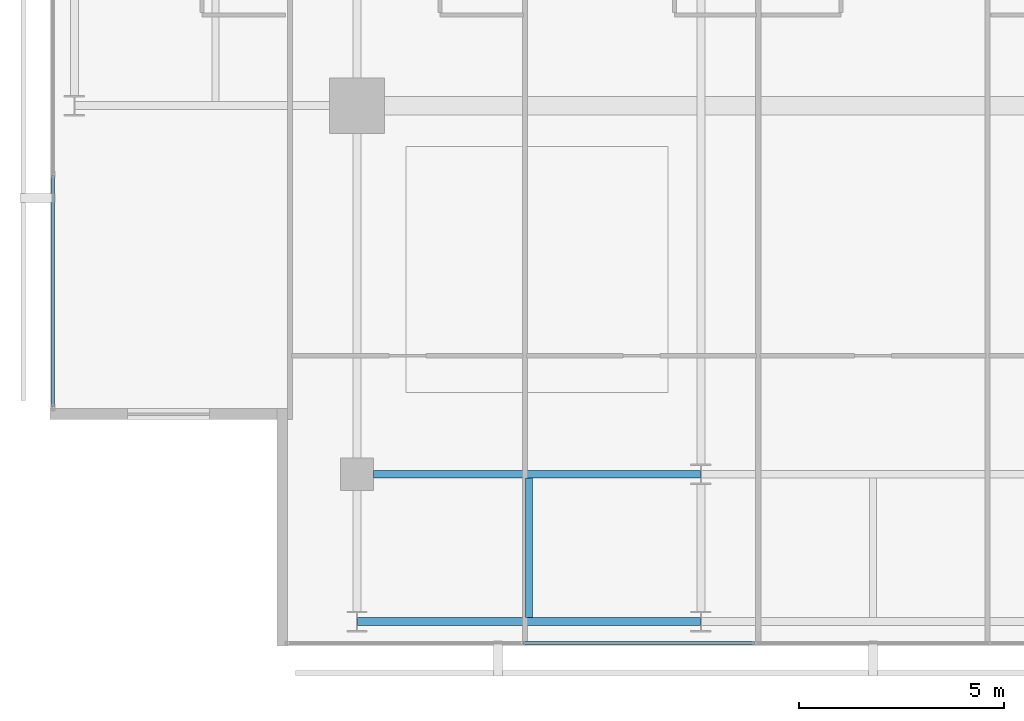
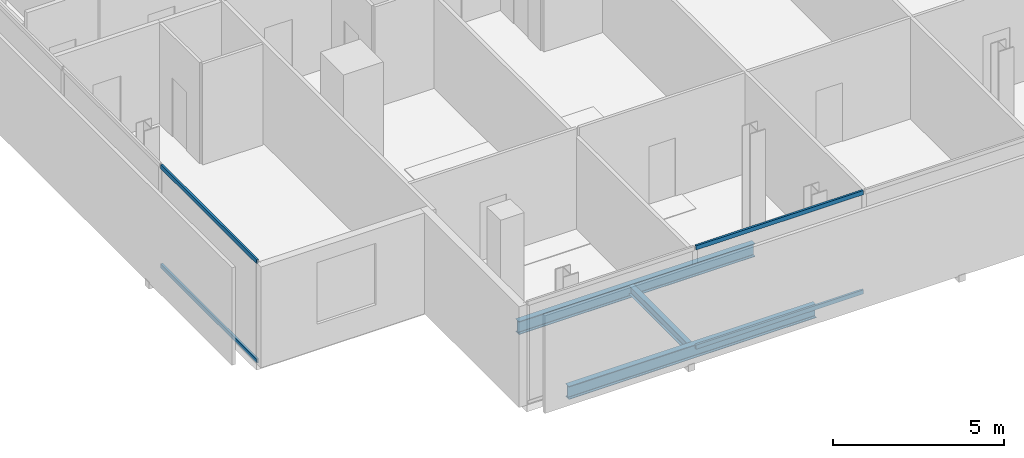
# One storey, part 3 of 24: 4 members, 3 beams, 2 elements without a shape of their own.
"""IFC4 building model written with IfcOpenShell, lengths in metres."""

from ifc_helpers import new_model, si_unit, direction, frame, origin, origin_2d, place, context, subcontext, project, spatial, hollow_rectangle, i_section, extrude, material, layer, layer_set, material_profile, profile_set, type_object, element, aggregate, save


model = new_model("IFC4")

# Units and contexts
model_context = context("Model", 3, precision=1e-05, world=origin(), true_north=direction((0.0, 1.0)))
body_context = subcontext(model_context, "Body", "Model", "MODEL_VIEW")
ifc_project = project(units=[si_unit("LENGTHUNIT", "METRE"), si_unit("AREAUNIT", "SQUARE_METRE"), si_unit("VOLUMEUNIT", "CUBIC_METRE"), si_unit("PLANEANGLEUNIT", "RADIAN"), si_unit("MASSUNIT", "GRAM", prefix="KILO")], contexts=[model_context])

# Site, building, storey
site_placement = place(None, origin())
site = spatial("IfcSite", under=ifc_project, at=site_placement, CompositionType="ELEMENT")
building_placement = place(site_placement, origin())
building = spatial("IfcBuilding", under=site, at=building_placement, Name="Maruvema Waterfront Hotel and Observation Tower", CompositionType="ELEMENT")
storey_placement = place(building_placement, frame((0.0, 0.0, 329.699951171875)))
storey = spatial("IfcBuildingStorey", under=building, at=storey_placement, Name="L81", CompositionType="ELEMENT", Elevation=329.699951171875)

# Curtain wall, members
ifc_material_1 = material(Name="Anodised bronze aluminium and solar-control low-E IGU", Category="aluminium")
ifc_layer = layer(ifc_material_1, 0.159912109375, Name="Zone 4 Sky Residence Inner Curtain Wall System CW-05")
ifc_layer_set = layer_set([ifc_layer], Name="Anodised bronze aluminium and solar-control low-E IGU")
curtain_wall_type = type_object("IfcCurtainWallType", Name="Zone 4 Sky Residence Inner Curtain Wall System CW-05", PredefinedType="USERDEFINED", material=ifc_layer_set)
curtain_wall_1_placement = place(storey_placement, origin())
curtain_wall_1 = element("IfcCurtainWall", 1, at=curtain_wall_1_placement, inside=storey, type_object=curtain_wall_type, Name="L81 Curtain Wall CW-L81-S", ObjectType="UNITISED CURTAIN WALL", PredefinedType="USERDEFINED")
ifc_material_2 = material(Name="Anodised architectural bronze aluminium", Category="aluminium")
ifc_material_profile_1 = material_profile(ifc_material_2, hollow_rectangle(XDim=0.070068359375, YDim=0.14990234375, WallThickness=0.00390625, at=origin_2d()), Name="ALU-T70x150")
ifc_profile_set_1 = profile_set([ifc_material_profile_1], Name="Anodised architectural bronze aluminium")
member_type = type_object("IfcMemberType", Name="Curtain Wall Horizontal Transom ALU-T70x150", PredefinedType="USERDEFINED", material=ifc_profile_set_1)
member_1_placement = place(storey_placement, frame((29.25, 13.8798828125, 0.030029296875), z_axis=(1.0, 0.0, 0.0), x_axis=(0.0, 1.0, 0.0)))
member_1 = element("IfcMember", 2, at=member_1_placement, type_object=member_type, Name="CW-05 transom 2.1", ObjectType="TRANSOM", PredefinedType="USERDEFINED", context=body_context, shape_type="SweptSolid", body=[
    extrude(hollow_rectangle(XDim=0.070068359375, YDim=0.14990234375, WallThickness=0.00390625, at=origin_2d()), origin(), (0.0, 0.0, 1.0), 5.659912109375),
])
member_2_placement = place(storey_placement, frame((29.25, 13.8798828125, 3.580078125), z_axis=(1.0, 0.0, 0.0), x_axis=(0.0, 1.0, 0.0)))
member_2 = element("IfcMember", 3, at=member_2_placement, type_object=member_type, Name="CW-05 transom 2.2", ObjectType="TRANSOM", PredefinedType="USERDEFINED", context=body_context, shape_type="SweptSolid", body=[
    extrude(hollow_rectangle(XDim=0.070068359375, YDim=0.14990234375, WallThickness=0.00390625, at=origin_2d()), origin(), (0.0, 0.0, 1.0), 5.659912109375),
])
aggregate(curtain_wall_1, [member_1, member_2])

curtain_wall_2_placement = place(storey_placement, origin())
curtain_wall_2 = element("IfcCurtainWall", 4, at=curtain_wall_2_placement, inside=storey, type_object=curtain_wall_type, Name="L81 Curtain Wall CW-L81-W", ObjectType="UNITISED CURTAIN WALL", PredefinedType="USERDEFINED")
member_3_placement = place(storey_placement, frame((17.780029296875, 25.2900390625, 0.030029296875), z_axis=(0.0, -1.0, 0.0), x_axis=(1.0, 0.0, 0.0)))
member_3 = element("IfcMember", 5, at=member_3_placement, type_object=member_type, Name="CW-05 transom 5.1", ObjectType="TRANSOM", PredefinedType="USERDEFINED", context=body_context, shape_type="SweptSolid", body=[
    extrude(hollow_rectangle(XDim=0.070068359375, YDim=0.14990234375, WallThickness=0.00390625, at=origin_2d()), origin(), (0.0, 0.0, 1.0), 5.630126953125),
])
member_4_placement = place(storey_placement, frame((17.780029296875, 25.2900390625, 3.580078125), z_axis=(0.0, -1.0, 0.0), x_axis=(1.0, 0.0, 0.0)))
member_4 = element("IfcMember", 6, at=member_4_placement, type_object=member_type, Name="CW-05 transom 5.2", ObjectType="TRANSOM", PredefinedType="USERDEFINED", context=body_context, shape_type="SweptSolid", body=[
    extrude(hollow_rectangle(XDim=0.070068359375, YDim=0.14990234375, WallThickness=0.00390625, at=origin_2d()), origin(), (0.0, 0.0, 1.0), 5.630126953125),
])
aggregate(curtain_wall_2, [member_3, member_4])

# Beams
ifc_material_3 = material(Name="Steel ASTM A572 Grade 50", Category="steel")
ifc_material_profile_2 = material_profile(ifc_material_3, i_section(OverallWidth=0.194091796875, OverallDepth=0.468994140625, WebThickness=0.0126953125, FlangeThickness=0.0205078125, FilletRadius=0.014892578125, at=origin_2d()), Name="W460x106.0")
ifc_profile_set_2 = profile_set([ifc_material_profile_2], Name="Steel ASTM A572 Grade 50")
beam_type_1 = type_object("IfcBeamType", Name="Primary Floor Girder W460x106.0", PredefinedType="BEAM", material=ifc_profile_set_2)
beam_1_placement = place(storey_placement, frame((25.2109375, 14.39990234375, -0.474365234375), z_axis=(1.0, 0.0, 0.0), x_axis=(0.0, 1.0, 0.0)))
element("IfcBeam", 7, at=beam_1_placement, inside=storey, type_object=beam_type_1, Name="L81 Floor Girder EW-01", PredefinedType="BEAM", context=body_context, shape_type="SweptSolid", body=[
    extrude(i_section(OverallWidth=0.194091796875, OverallDepth=0.468994140625, WebThickness=0.0126953125, FlangeThickness=0.0205078125, FilletRadius=0.014892578125, at=origin_2d()), origin(), (0.0, 0.0, 1.0), 8.378173828125),
])
beam_2_placement = place(storey_placement, frame((25.60009765625, 18.0, -0.474365234375), z_axis=(1.0, 0.0, 0.0), x_axis=(0.0, 1.0, 0.0)))
element("IfcBeam", 8, at=beam_2_placement, inside=storey, type_object=beam_type_1, Name="L81 Floor Girder EW-04", PredefinedType="BEAM", context=body_context, shape_type="SweptSolid", body=[
    extrude(i_section(OverallWidth=0.194091796875, OverallDepth=0.468994140625, WebThickness=0.0126953125, FlangeThickness=0.0205078125, FilletRadius=0.014892578125, at=origin_2d()), origin(), (0.0, 0.0, 1.0), 7.989013671875),
])
ifc_material_4 = material(Name="Steel ASTM A572 Grade 50", Category="steel")
ifc_material_profile_3 = material_profile(ifc_material_4, i_section(OverallWidth=0.1669921875, OverallDepth=0.31689453125, WebThickness=0.007568359375, FlangeThickness=0.01318359375, FilletRadius=0.012939453125, at=origin_2d()), Name="W310x52.0")
ifc_profile_set_3 = profile_set([ifc_material_profile_3], Name="Steel ASTM A572 Grade 50")
beam_type_2 = type_object("IfcBeamType", Name="Secondary Floor Joist W310x52.0", PredefinedType="JOIST", material=ifc_profile_set_3)
beam_3_placement = place(storey_placement, frame((29.39990234375, 14.4970703125, -0.3984375), z_axis=(0.0, 1.0, 0.0), x_axis=(-1.0, 0.0, 0.0)))
element("IfcBeam", 9, at=beam_3_placement, inside=storey, type_object=beam_type_2, Name="L81 Secondary Floor Joist JS-03", PredefinedType="JOIST", context=body_context, shape_type="SweptSolid", body=[
    extrude(i_section(OverallWidth=0.1669921875, OverallDepth=0.31689453125, WebThickness=0.007568359375, FlangeThickness=0.01318359375, FilletRadius=0.012939453125, at=origin_2d()), origin(), (0.0, 0.0, 1.0), 3.406005859375),
])

save(model, "model.ifc")
